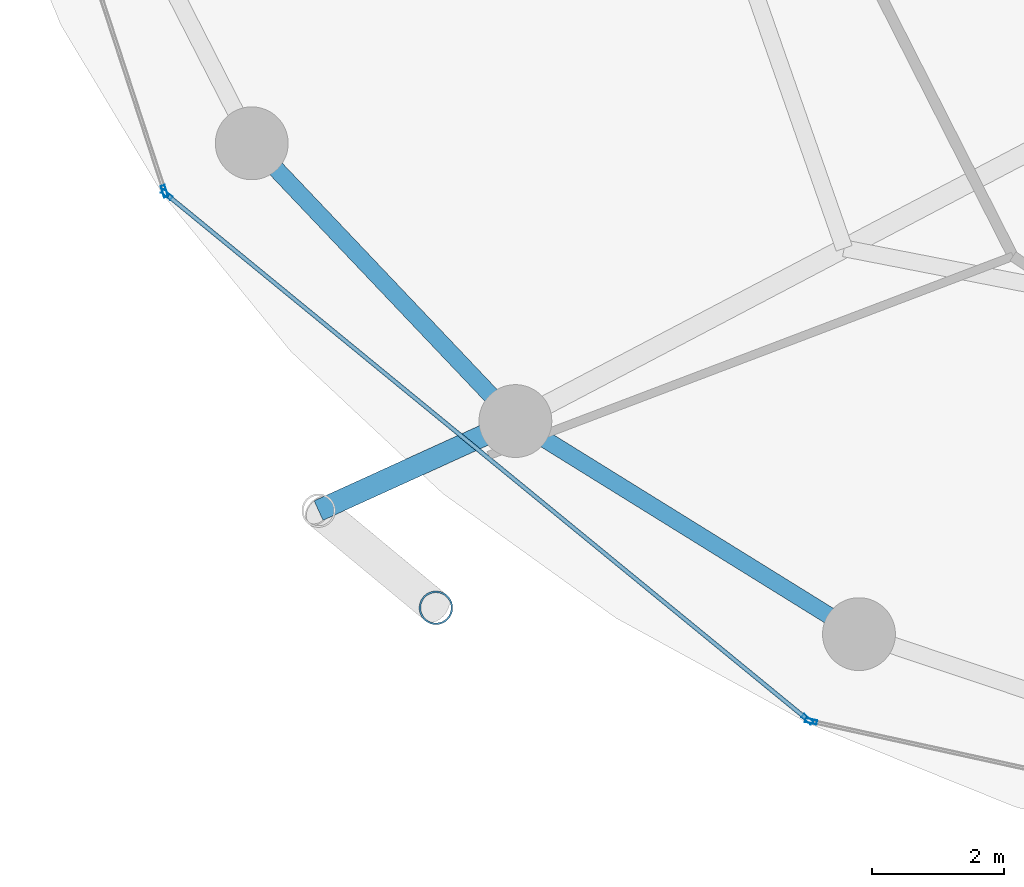
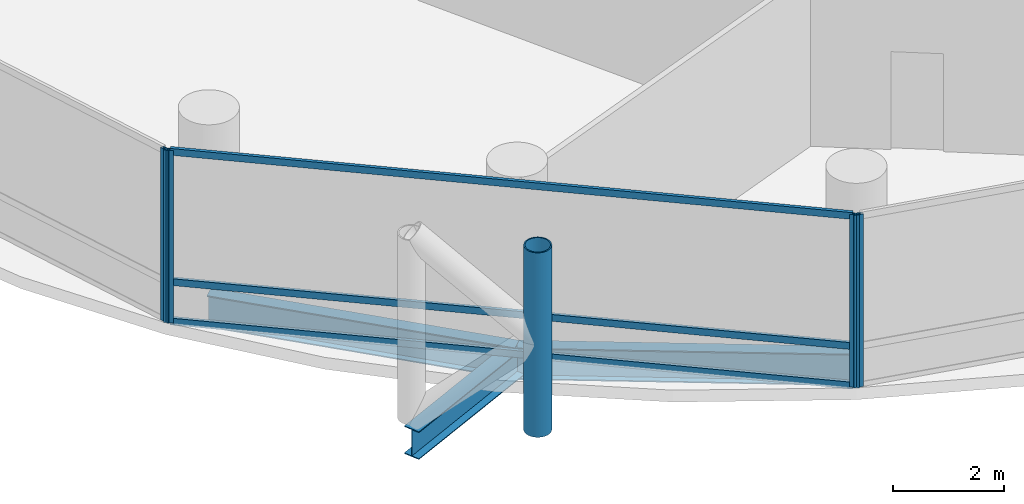
# One storey, part 2 of 25: 8 members, 3 beams, 3 elements without a shape of their own.
"""IFC4 building model written with IfcOpenShell, lengths in metres."""

from ifc_helpers import new_model, si_unit, direction, frame, origin, origin_2d, place, context, subcontext, project, spatial, hollow_rectangle, hollow_circle, i_section, extrude, material, layer, layer_set, material_profile, profile_set, type_object, element, aggregate, save


model = new_model("IFC4")

# Units and contexts
model_context = context("Model", 3, precision=1e-05, world=origin(), true_north=direction((0.0, 1.0)))
body_context = subcontext(model_context, "Body", "Model", "MODEL_VIEW")
ifc_project = project(units=[si_unit("LENGTHUNIT", "METRE"), si_unit("AREAUNIT", "SQUARE_METRE"), si_unit("VOLUMEUNIT", "CUBIC_METRE"), si_unit("PLANEANGLEUNIT", "RADIAN"), si_unit("MASSUNIT", "GRAM", prefix="KILO")], contexts=[model_context])

# Site, building, storey
site_placement = place(None, origin())
site = spatial("IfcSite", under=ifc_project, at=site_placement, CompositionType="ELEMENT")
building_placement = place(site_placement, origin())
building = spatial("IfcBuilding", under=site, at=building_placement, Name="Nuhasar Tower", CompositionType="ELEMENT")
storey_placement = place(building_placement, frame((0.0, 0.0, 45.300048828125)))
storey = spatial("IfcBuildingStorey", under=building, at=storey_placement, Name="L10", CompositionType="ELEMENT", Elevation=45.300048828125)

# Beams
ifc_material_1 = material(Name="Steel S355", Category="steel")
ifc_material_profile_1 = material_profile(ifc_material_1, i_section(OverallWidth=0.256103515625, OverallDepth=0.693115234375, WebThickness=0.014404296875, FlangeThickness=0.023681640625, at=origin_2d()), Name="W27X114")
ifc_profile_set_1 = profile_set([ifc_material_profile_1], Name="Steel S355")
beam_type_1 = type_object("IfcBeamType", Name="BM-RING-W27X114", PredefinedType="SPANDREL", material=ifc_profile_set_1)
beam_1_placement = place(storey_placement, frame((17.305908203125, 16.675048828125, -0.60595703125), z_axis=(0.688459812429, -0.725274490569, 0.0), x_axis=(0.725274490569, 0.688459812429, 0.0)))
element("IfcBeam", 1, at=beam_1_placement, inside=storey, type_object=beam_type_1, Name="L10 Perimeter Ring Spandrel 15", PredefinedType="SPANDREL", context=body_context, shape_type="SweptSolid", body=[
    extrude(i_section(OverallWidth=0.256103515625, OverallDepth=0.693115234375, WebThickness=0.014404296875, FlangeThickness=0.023681640625, at=origin_2d()), origin(), (0.0, 0.0, 1.0), 5.78271484375),
])
beam_2_placement = place(storey_placement, frame((21.287109375, 12.48095703125, -0.60595703125), z_axis=(0.849795216549, -0.527112976439, 0.0), x_axis=(0.527112976439, 0.849795216549, 0.0)))
element("IfcBeam", 2, at=beam_2_placement, inside=storey, type_object=beam_type_1, Name="L10 Perimeter Ring Spandrel 16", PredefinedType="SPANDREL", context=body_context, shape_type="SweptSolid", body=[
    extrude(i_section(OverallWidth=0.256103515625, OverallDepth=0.693115234375, WebThickness=0.014404296875, FlangeThickness=0.023681640625, at=origin_2d()), origin(), (0.0, 0.0, 1.0), 6.10498046875),
])
ifc_material_profile_2 = material_profile(ifc_material_1, i_section(OverallWidth=0.323974609375, OverallDepth=0.611083984375, WebThickness=0.0126953125, FlangeThickness=0.01904296875, at=origin_2d()), Name="W24X104")
ifc_profile_set_2 = profile_set([ifc_material_profile_2], Name="Steel S355")
beam_type_2 = type_object("IfcBeamType", Name="BM-TIE-W24X104", PredefinedType="BEAM", material=ifc_profile_set_2)
beam_3_placement = place(storey_placement, frame((21.287109375, 12.48095703125, -0.566162109375), z_axis=(-0.910243528587, -0.414073325227, 0.0), x_axis=(0.414073325227, -0.910243528587, 0.0)))
element("IfcBeam", 3, at=beam_3_placement, inside=storey, type_object=beam_type_2, Name="L10 Exoskeleton Node Tie Beam 08", PredefinedType="BEAM", context=body_context, shape_type="SweptSolid", body=[
    extrude(i_section(OverallWidth=0.323974609375, OverallDepth=0.611083984375, WebThickness=0.0126953125, FlangeThickness=0.01904296875, at=origin_2d()), origin(), (0.0, 0.0, 1.0), 3.26513671875),
])

# Curtain wall, member
ifc_material_2 = material(Name="Aluminium 6063-T6", Category="aluminium")
ifc_layer = layer(ifc_material_2, 0.199951171875)
ifc_layer_set = layer_set([ifc_layer], Name="Aluminium 6063-T6")
curtain_wall_type = type_object("IfcCurtainWallType", Name="CW-Z1-OFF", PredefinedType="NOTDEFINED", material=ifc_layer_set)
curtain_wall_1_placement = place(storey_placement, origin())
curtain_wall_1 = element("IfcCurtainWall", 4, at=curtain_wall_1_placement, inside=storey, type_object=curtain_wall_type, Name="L10 Unitised Curtain Wall 07", PredefinedType="NOTDEFINED")
ifc_material_profile_3 = material_profile(ifc_material_2, hollow_rectangle(XDim=0.06494140625, YDim=0.179931640625, WallThickness=0.0048828125, at=origin_2d()), Name="CWM-2")
ifc_profile_set_3 = profile_set([ifc_material_profile_3], Name="Aluminium 6063-T6")
member_type_1 = type_object("IfcMemberType", Name="CW-MUL-S2", PredefinedType="MULLION", material=ifc_profile_set_3)
member_1_placement = place(storey_placement, frame((15.98779296875, 15.950927734375, 0.0), z_axis=(0.0, 0.0, 1.0), x_axis=(0.950467534571, 0.310823849997, 0.0)))
member_1 = element("IfcMember", 5, at=member_1_placement, type_object=member_type_1, Name="CW-Z1 mullion 2", PredefinedType="MULLION", context=body_context, shape_type="SweptSolid", body=[
    extrude(hollow_rectangle(XDim=0.06494140625, YDim=0.179931640625, WallThickness=0.0048828125, at=origin_2d()), origin(), (0.0, 0.0, 1.0), 3.7900390625),
])
aggregate(curtain_wall_1, [member_1])

# Curtain wall, members
curtain_wall_2_placement = place(storey_placement, origin())
curtain_wall_2 = element("IfcCurtainWall", 6, at=curtain_wall_2_placement, inside=storey, type_object=curtain_wall_type, Name="L10 Unitised Curtain Wall 08", PredefinedType="NOTDEFINED")
member_2_placement = place(storey_placement, frame((16.023193359375, 15.8994140625, 0.0), z_axis=(0.0, 0.0, 1.0), x_axis=(0.633744593376, 0.773542364946, 0.0)))
member_2 = element("IfcMember", 7, at=member_2_placement, type_object=member_type_1, Name="CW-Z1 mullion 1", PredefinedType="MULLION", context=body_context, shape_type="SweptSolid", body=[
    extrude(hollow_rectangle(XDim=0.06494140625, YDim=0.179931640625, WallThickness=0.0048828125, at=origin_2d()), origin(), (0.0, 0.0, 1.0), 3.7900390625),
])
member_3_placement = place(storey_placement, frame((25.69482421875, 7.9755859375, 0.0), z_axis=(0.0, 0.0, 1.0), x_axis=(0.633744593376, 0.773542364946, 0.0)))
member_3 = element("IfcMember", 8, at=member_3_placement, type_object=member_type_1, Name="CW-Z1 mullion 2", PredefinedType="MULLION", context=body_context, shape_type="SweptSolid", body=[
    extrude(hollow_rectangle(XDim=0.06494140625, YDim=0.179931640625, WallThickness=0.0048828125, at=origin_2d()), origin(), (0.0, 0.0, 1.0), 3.7900390625),
])

# Curtain wall, member
curtain_wall_3_placement = place(storey_placement, origin())
curtain_wall_3 = element("IfcCurtainWall", 9, at=curtain_wall_3_placement, inside=storey, type_object=curtain_wall_type, Name="L10 Unitised Curtain Wall 09", PredefinedType="NOTDEFINED")
member_4_placement = place(storey_placement, frame((25.751708984375, 7.947998046875, 0.0), z_axis=(0.0, 0.0, 1.0), x_axis=(0.214398737637, 0.976746221544, 0.0)))
member_4 = element("IfcMember", 10, at=member_4_placement, type_object=member_type_1, Name="CW-Z1 mullion 1", PredefinedType="MULLION", context=body_context, shape_type="SweptSolid", body=[
    extrude(hollow_rectangle(XDim=0.06494140625, YDim=0.179931640625, WallThickness=0.0048828125, at=origin_2d()), origin(), (0.0, 0.0, 1.0), 3.7900390625),
])
aggregate(curtain_wall_3, [member_4])

# Member
ifc_material_profile_4 = material_profile(ifc_material_2, hollow_rectangle(XDim=0.06494140625, YDim=0.14990234375, WallThickness=0.00439453125, at=origin_2d()), Name="CWT-2")
ifc_profile_set_4 = profile_set([ifc_material_profile_4], Name="Aluminium 6063-T6")
member_type_2 = type_object("IfcMemberType", Name="CW-TRN-S2", PredefinedType="USERDEFINED", material=ifc_profile_set_4)
member_5_placement = place(storey_placement, frame((16.04833984375, 15.87890625, 0.032470703125), z_axis=(0.773531229158, -0.633758185365, 0.0), x_axis=(0.633758185365, 0.773531229158, 0.0)))
member_5 = element("IfcMember", 11, at=member_5_placement, type_object=member_type_2, Name="CW-Z1 transom 1.1", ObjectType="TRANSOM", PredefinedType="USERDEFINED", context=body_context, shape_type="SweptSolid", body=[
    extrude(hollow_rectangle(XDim=0.06494140625, YDim=0.14990234375, WallThickness=0.00439453125, at=origin_2d()), origin(), (0.0, 0.0, 1.0), 12.438232421875),
])

member_6_placement = place(storey_placement, frame((16.04833984375, 15.87890625, 0.89990234375), z_axis=(0.773531229158, -0.633758185365, 0.0), x_axis=(0.633758185365, 0.773531229158, 0.0)))
member_6 = element("IfcMember", 12, at=member_6_placement, type_object=member_type_2, Name="CW-Z1 transom 1.2", ObjectType="TRANSOM", PredefinedType="USERDEFINED", context=body_context, shape_type="SweptSolid", body=[
    extrude(hollow_rectangle(XDim=0.06494140625, YDim=0.14990234375, WallThickness=0.00439453125, at=origin_2d()), origin(), (0.0, 0.0, 1.0), 12.438232421875),
])

member_7_placement = place(storey_placement, frame((16.04833984375, 15.87890625, 3.757568359375), z_axis=(0.773531229158, -0.633758185365, 0.0), x_axis=(0.633758185365, 0.773531229158, 0.0)))
member_7 = element("IfcMember", 13, at=member_7_placement, type_object=member_type_2, Name="CW-Z1 transom 1.3", ObjectType="TRANSOM", PredefinedType="USERDEFINED", context=body_context, shape_type="SweptSolid", body=[
    extrude(hollow_rectangle(XDim=0.06494140625, YDim=0.14990234375, WallThickness=0.00439453125, at=origin_2d()), origin(), (0.0, 0.0, 1.0), 12.438232421875),
])

aggregate(curtain_wall_2, [member_2, member_3, member_5, member_6, member_7])

ifc_material_3 = material(Name="Steel S460", Category="steel")
ifc_material_profile_5 = material_profile(ifc_material_3, hollow_circle(Radius=0.25390625, WallThickness=0.025390625, at=origin_2d()), Name="HSS508X25.4")
ifc_profile_set_5 = profile_set([ifc_material_profile_5], Name="Steel S460")
member_type_3 = type_object("IfcMemberType", Name="EXO-BRONZE-508", PredefinedType="BRACE", material=ifc_profile_set_5)
member_8_placement = place(storey_placement, frame((20.0869140625, 9.660888671875, 0.0), z_axis=(0.0, 0.0, 1.0), x_axis=(1.0, 0.0, 0.0)))
element("IfcMember", 14, at=member_8_placement, inside=storey, type_object=member_type_3, Name="L10 Exoskeleton Chord Column EC-08B", PredefinedType="BRACE", context=body_context, shape_type="SweptSolid", body=[
    extrude(hollow_circle(Radius=0.25390625, WallThickness=0.025390625, at=origin_2d()), origin(), (0.0, 0.0, 1.0), 4.050048828125),
])

save(model, "model.ifc")
